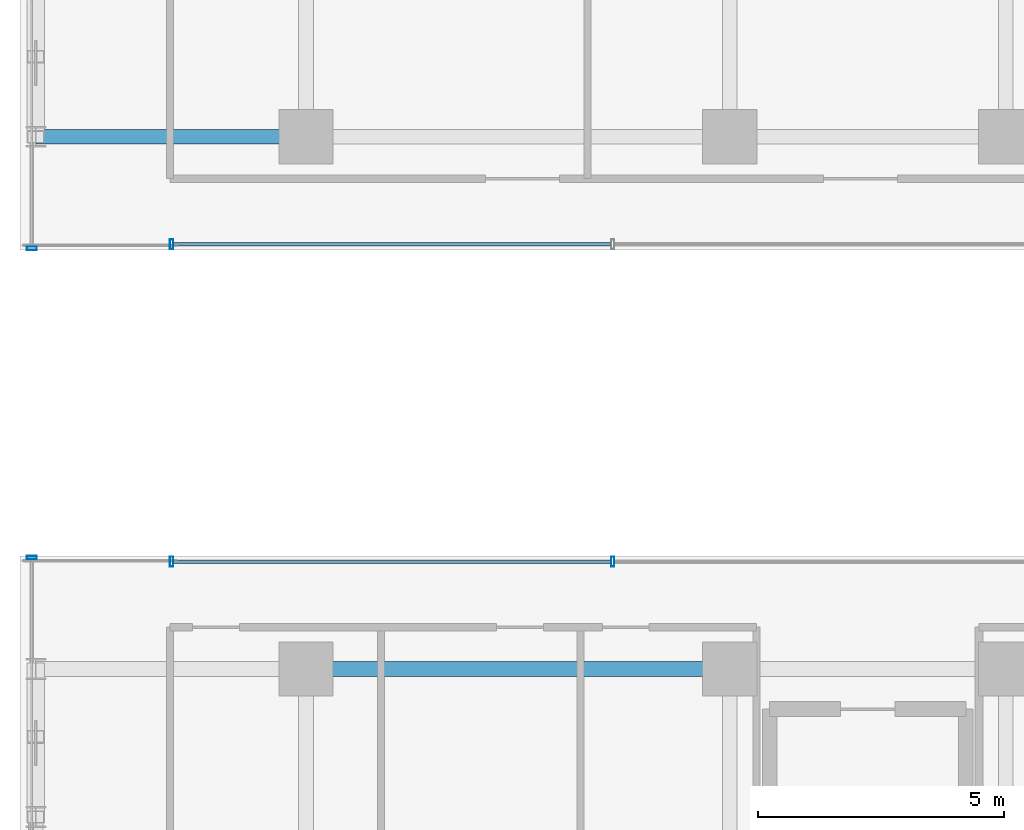
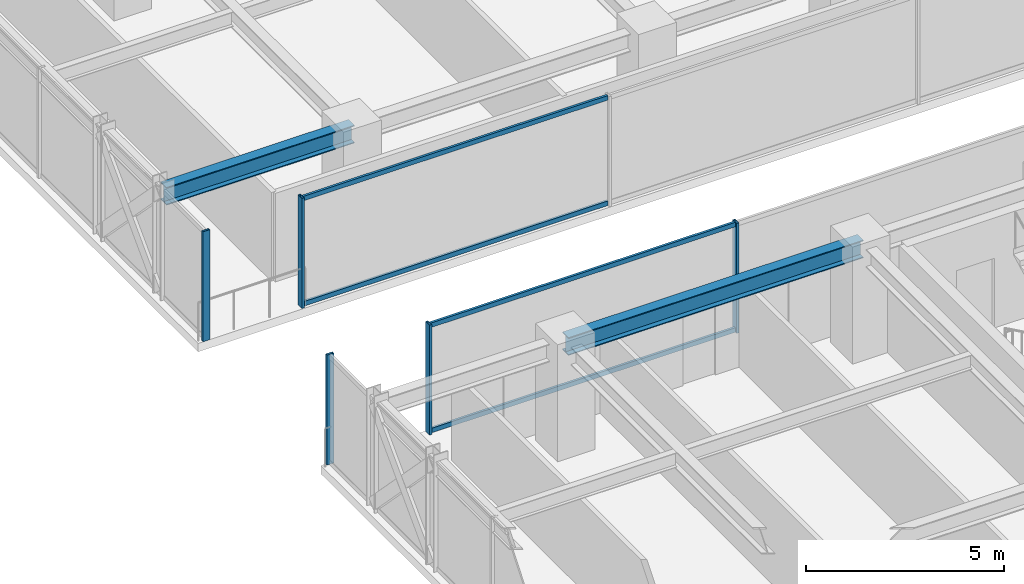
# One storey, part 8 of 36: 9 members, 2 beams, 4 elements without a shape of their own.
"""IFC4 building model written with IfcOpenShell, lengths in metres."""

from ifc_helpers import new_model, si_unit, direction, frame, origin, origin_2d, place, context, subcontext, project, spatial, hollow_rectangle, i_section, extrude, source, transform, mapped, material, material_profile, profile_set, type_object, element, aggregate, save


model = new_model("IFC4")

# Units and contexts
model_context = context("Model", 3, precision=1e-05, world=origin(), true_north=direction((0.0, 1.0)))
body_context = subcontext(model_context, "Body", "Model", "MODEL_VIEW")
ifc_project = project(units=[si_unit("LENGTHUNIT", "METRE"), si_unit("AREAUNIT", "SQUARE_METRE"), si_unit("VOLUMEUNIT", "CUBIC_METRE"), si_unit("PLANEANGLEUNIT", "RADIAN"), si_unit("MASSUNIT", "GRAM", prefix="KILO")], contexts=[model_context])

# Site, building, storey
site_placement = place(None, origin())
site = spatial("IfcSite", under=ifc_project, at=site_placement, CompositionType="ELEMENT")
building_placement = place(site_placement, origin())
building = spatial("IfcBuilding", under=site, at=building_placement, Name="Nahalor Promenade Grand Hotel", CompositionType="ELEMENT")
storey_placement = place(building_placement, frame((0.0, 0.0, 174.550048828125)))
storey = spatial("IfcBuildingStorey", under=building, at=storey_placement, Name="L44", CompositionType="ELEMENT", Elevation=174.550048828125)

# Beams
ifc_material_1 = material(Name="Steel S355JR", Category="steel")
ifc_material_profile_1 = material_profile(ifc_material_1, i_section(OverallWidth=0.3, OverallDepth=0.55, WebThickness=0.015, FlangeThickness=0.029, at=origin_2d()), Name="HEB 550")
ifc_profile_set_1 = profile_set([ifc_material_profile_1], Name="Steel S355JR")
beam_type = type_object("IfcBeamType", Name="Beam-Girder-HEB550", PredefinedType="BEAM", material=ifc_profile_set_1)
shared_shape_1 = source(origin(), body_context, "Body", "SweptSolid", [
    extrude(i_section(OverallWidth=0.3, OverallDepth=0.55, WebThickness=0.015, FlangeThickness=0.029, at=origin_2d()), origin(), (0.0, 0.0, 1.0), 8.60009765625),
])
beam_1_placement = place(storey_placement, frame((-17.0, -5.39990234375, 3.114990234375), z_axis=(1.0, 0.0, 0.0), x_axis=(0.0, 1.0, 0.0)))
element("IfcBeam", 1, at=beam_1_placement, inside=storey, type_object=beam_type, Name="BM-L44-GX-1-1", PredefinedType="BEAM", context=body_context, shape_type="MappedRepresentation", body=[
    mapped(shared_shape_1, transform((0.0, 0.0, 0.0), scale=1.0)),
])
shared_shape_2 = source(origin(), body_context, "Body", "SweptSolid", [
    extrude(i_section(OverallWidth=0.3, OverallDepth=0.55, WebThickness=0.015, FlangeThickness=0.029, at=origin_2d()), origin(), (0.0, 0.0, 1.0), 5.47998046875),
])
beam_2_placement = place(storey_placement, frame((-22.47998046875, 5.39990234375, 3.114990234375), z_axis=(1.0, 0.0, 0.0), x_axis=(0.0, 1.0, 0.0)))
element("IfcBeam", 2, at=beam_2_placement, inside=storey, type_object=beam_type, Name="BM-L44-GX-2-0", PredefinedType="BEAM", context=body_context, shape_type="MappedRepresentation", body=[
    mapped(shared_shape_2, transform((0.0, 0.0, 0.0), scale=1.0)),
])

# Curtain wall, members
ifc_material_2 = material(Name="Anodised Bronze Aluminium EN AW-6063 T6", Category="aluminium")
curtain_wall_type = type_object("IfcCurtainWallType", Name="CW3 Elliptical-Void Collar Unitised Curtain Wall", PredefinedType="USERDEFINED", material=ifc_material_2)
curtain_wall_1_placement = place(storey_placement, origin())
curtain_wall_1 = element("IfcCurtainWall", 3, at=curtain_wall_1_placement, inside=storey, type_object=curtain_wall_type, Name="L44 Curtain Wall CW-L44-VOID-WS1", ObjectType="UNITISED_CURTAIN_WALL", PredefinedType="USERDEFINED")
ifc_material_profile_2 = material_profile(ifc_material_2, hollow_rectangle(XDim=0.07, YDim=0.14, WallThickness=0.004, at=origin_2d()), Name="CWT 70x140x4")
ifc_profile_set_2 = profile_set([ifc_material_profile_2], Name="Anodised Bronze Aluminium EN AW-6063 T6")
member_type_1 = type_object("IfcMemberType", Name="CWT3 Void Collar Transom 70x140", PredefinedType="USERDEFINED", material=ifc_profile_set_2)
shared_shape_3 = source(origin(), body_context, "Body", "SweptSolid", [
    extrude(hollow_rectangle(XDim=0.07, YDim=0.14, WallThickness=0.004, at=origin_2d()), origin(), (0.0, 0.0, 1.0), 8.881591796875),
])
member_1_placement = place(storey_placement, frame((-19.68994140625, -3.219970703125, 0.070068359375), z_axis=(1.0, 0.0, 0.0), x_axis=(0.0, 1.0, 0.0)))
member_1 = element("IfcMember", 4, at=member_1_placement, type_object=member_type_1, Name="CW-L44-VOID-WS1 Transom 0-0", ObjectType="TRANSOM", PredefinedType="USERDEFINED", context=body_context, shape_type="MappedRepresentation", body=[
    mapped(shared_shape_3, transform((0.0, 0.0, 0.0), scale=1.0)),
])
member_2_placement = place(storey_placement, frame((-19.68994140625, -3.219970703125, 3.320068359375), z_axis=(1.0, 0.0, 0.0), x_axis=(0.0, 1.0, 0.0)))
member_2 = element("IfcMember", 5, at=member_2_placement, type_object=member_type_1, Name="CW-L44-VOID-WS1 Transom 0-1", ObjectType="TRANSOM", PredefinedType="USERDEFINED", context=body_context, shape_type="MappedRepresentation", body=[
    mapped(shared_shape_3, transform((0.0, 0.0, 0.0), scale=1.0)),
])

curtain_wall_2_placement = place(storey_placement, origin())
curtain_wall_2 = element("IfcCurtainWall", 6, at=curtain_wall_2_placement, inside=storey, type_object=curtain_wall_type, Name="L44 Curtain Wall CW-L44-VOID-WN1", ObjectType="UNITISED_CURTAIN_WALL", PredefinedType="USERDEFINED")
member_3_placement = place(storey_placement, frame((-19.68994140625, 3.219970703125, 0.070068359375), z_axis=(1.0, 0.0, 0.0), x_axis=(0.0, 1.0, 0.0)))
member_3 = element("IfcMember", 7, at=member_3_placement, type_object=member_type_1, Name="CW-L44-VOID-WN1 Transom 0-0", ObjectType="TRANSOM", PredefinedType="USERDEFINED", context=body_context, shape_type="MappedRepresentation", body=[
    mapped(shared_shape_3, transform((0.0, 0.0, 0.0), scale=1.0)),
])
member_4_placement = place(storey_placement, frame((-19.68994140625, 3.219970703125, 3.320068359375), z_axis=(1.0, 0.0, 0.0), x_axis=(0.0, 1.0, 0.0)))
member_4 = element("IfcMember", 8, at=member_4_placement, type_object=member_type_1, Name="CW-L44-VOID-WN1 Transom 0-1", ObjectType="TRANSOM", PredefinedType="USERDEFINED", context=body_context, shape_type="MappedRepresentation", body=[
    mapped(shared_shape_3, transform((0.0, 0.0, 0.0), scale=1.0)),
])

# Curtain wall, member
curtain_wall_3_placement = place(storey_placement, origin())
curtain_wall_3 = element("IfcCurtainWall", 9, at=curtain_wall_3_placement, inside=storey, type_object=curtain_wall_type, Name="L44 Curtain Wall CW-L44-W-1", ObjectType="UNITISED_CURTAIN_WALL", PredefinedType="USERDEFINED")
ifc_material_profile_3 = material_profile(ifc_material_2, hollow_rectangle(XDim=0.07, YDim=0.2, WallThickness=0.005, at=origin_2d()), Name="CWM 70x200x5")
ifc_profile_set_3 = profile_set([ifc_material_profile_3], Name="Anodised Bronze Aluminium EN AW-6063 T6")
member_type_2 = type_object("IfcMemberType", Name="CWM3 Void Collar Mullion 70x200", PredefinedType="MULLION", material=ifc_profile_set_3)
shared_shape_4 = source(origin(), body_context, "Body", "SweptSolid", [
    extrude(hollow_rectangle(XDim=0.07, YDim=0.2, WallThickness=0.005, at=origin_2d()), origin(), (0.0, 0.0, 1.0), 3.389892578125),
])
member_5_placement = place(storey_placement, frame((-22.56005859375, -3.135009765625, 0.0), z_axis=(0.0, 0.0, 1.0), x_axis=(0.0, 1.0, 0.0)))
member_5 = element("IfcMember", 10, at=member_5_placement, type_object=member_type_2, Name="CW-L44-W-1 Mullion 2", PredefinedType="MULLION", context=body_context, shape_type="MappedRepresentation", body=[
    mapped(shared_shape_4, transform((0.0, 0.0, 0.0), scale=1.0)),
])
aggregate(curtain_wall_3, [member_5])

curtain_wall_4_placement = place(storey_placement, origin())
curtain_wall_4 = element("IfcCurtainWall", 11, at=curtain_wall_4_placement, inside=storey, type_object=curtain_wall_type, Name="L44 Curtain Wall CW-L44-W-2", ObjectType="UNITISED_CURTAIN_WALL", PredefinedType="USERDEFINED")
member_6_placement = place(storey_placement, frame((-22.56005859375, 3.135009765625, 0.0), z_axis=(0.0, 0.0, 1.0), x_axis=(0.0, 1.0, 0.0)))
member_6 = element("IfcMember", 12, at=member_6_placement, type_object=member_type_2, Name="CW-L44-W-2 Mullion 0", PredefinedType="MULLION", context=body_context, shape_type="MappedRepresentation", body=[
    mapped(shared_shape_4, transform((0.0, 0.0, 0.0), scale=1.0)),
])
aggregate(curtain_wall_4, [member_6])

# Member
member_7_placement = place(storey_placement, frame((-19.72509765625, -3.219970703125, 0.0), z_axis=(0.0, 0.0, 1.0), x_axis=(1.0, 0.0, 0.0)))
member_7 = element("IfcMember", 13, at=member_7_placement, type_object=member_type_2, Name="CW-L44-VOID-WS1 Mullion 0", PredefinedType="MULLION", context=body_context, shape_type="MappedRepresentation", body=[
    mapped(shared_shape_4, transform((0.0, 0.0, 0.0), scale=1.0)),
])

member_8_placement = place(storey_placement, frame((-10.7734375, -3.219970703125, 0.0), z_axis=(0.0, 0.0, 1.0), x_axis=(1.0, 0.0, 0.0)))
member_8 = element("IfcMember", 14, at=member_8_placement, type_object=member_type_2, Name="CW-L44-VOID-WS1 Mullion 1", PredefinedType="MULLION", context=body_context, shape_type="MappedRepresentation", body=[
    mapped(shared_shape_4, transform((0.0, 0.0, 0.0), scale=1.0)),
])

aggregate(curtain_wall_1, [member_7, member_8, member_1, member_2])

member_9_placement = place(storey_placement, frame((-19.72509765625, 3.219970703125, 0.0), z_axis=(0.0, 0.0, 1.0), x_axis=(1.0, 0.0, 0.0)))
member_9 = element("IfcMember", 15, at=member_9_placement, type_object=member_type_2, Name="CW-L44-VOID-WN1 Mullion 0", PredefinedType="MULLION", context=body_context, shape_type="MappedRepresentation", body=[
    mapped(shared_shape_4, transform((0.0, 0.0, 0.0), scale=1.0)),
])

aggregate(curtain_wall_2, [member_9, member_3, member_4])

save(model, "model.ifc")
